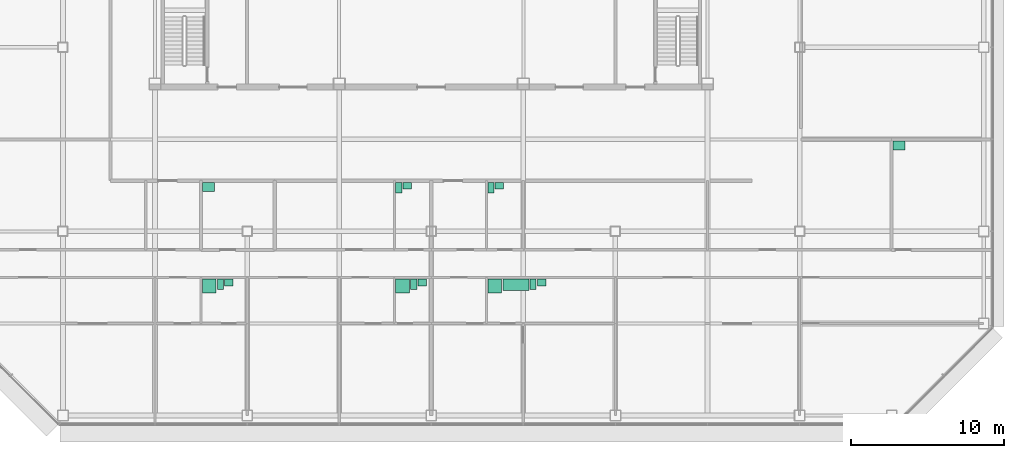
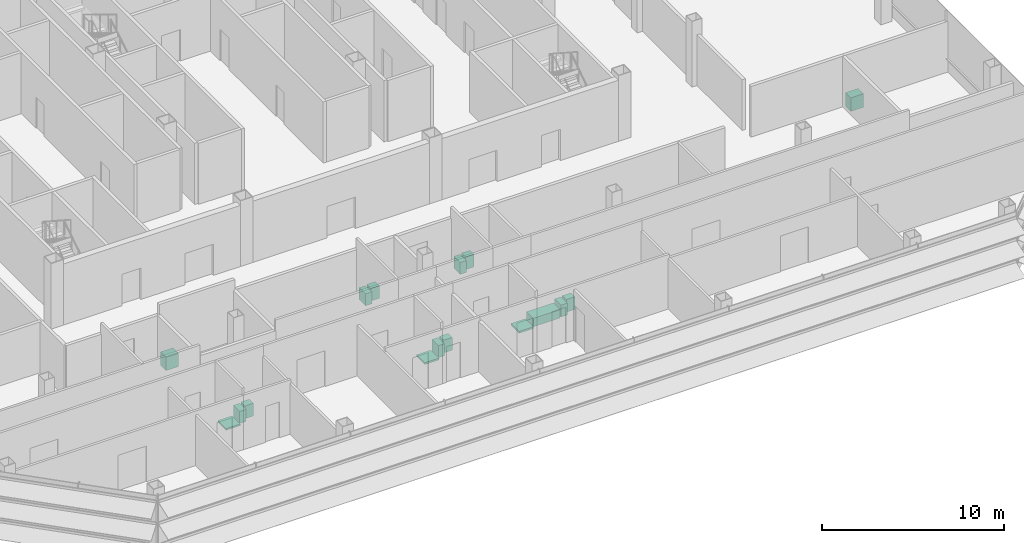
# One storey, part 26 of 26: 16 sanitary terminals.
"""IFC4 building model written with IfcOpenShell, lengths in metres."""

from ifc_helpers import new_model, si_unit, direction, frame, origin, origin_2d, place, context, subcontext, project, spatial, rectangle, extrude, element, save


model = new_model("IFC4")

# Units and contexts
model_context = context("Model", 3, precision=1e-05, world=origin(), true_north=direction((0.0, 1.0)))
body_context = subcontext(model_context, "Body", "Model", "MODEL_VIEW")
ifc_project = project(units=[si_unit("LENGTHUNIT", "METRE"), si_unit("AREAUNIT", "SQUARE_METRE"), si_unit("VOLUMEUNIT", "CUBIC_METRE"), si_unit("PLANEANGLEUNIT", "RADIAN"), si_unit("MASSUNIT", "GRAM", prefix="KILO")], contexts=[model_context])

# Site, building, storey
site_placement = place(None, origin())
site = spatial("IfcSite", under=ifc_project, at=site_placement, CompositionType="ELEMENT")
building_placement = place(site_placement, origin())
building = spatial("IfcBuilding", under=site, at=building_placement, Name="Sorahane Residences", CompositionType="ELEMENT")
storey_placement = place(building_placement, frame((0.0, 0.0, 181.60009765625)))
storey = spatial("IfcBuildingStorey", under=building, at=storey_placement, Name="L42", CompositionType="ELEMENT", Elevation=181.60009765625)

# Sanitary terminals
sanitary_terminal_1_placement = place(storey_placement, frame((9.530029296875, 8.449951171875, -0.000244140625), z_axis=(0.0, 0.0, 1.0), x_axis=(1.0, 0.0, 0.0)))
element("IfcSanitaryTerminal", 1, at=sanitary_terminal_1_placement, inside=storey, Name="Shower tray En-suite bathroom 42A", PredefinedType="SHOWER", context=body_context, shape_type="SweptSolid", body=[
    extrude(rectangle(XDim=0.89990234375, YDim=0.89990234375, at=origin_2d()), origin(), (0.0, 0.0, 1.0), 0.1201171875),
])
sanitary_terminal_2_placement = place(storey_placement, frame((10.260009765625, 8.550048828125, 0.0), z_axis=(0.0, 0.0, 1.0), x_axis=(1.0, 0.0, 0.0)))
element("IfcSanitaryTerminal", 2, at=sanitary_terminal_2_placement, inside=storey, Name="WC pan En-suite bathroom 42A", PredefinedType="TOILETPAN", context=body_context, shape_type="SweptSolid", body=[
    extrude(rectangle(XDim=0.39990234375, YDim=0.699951171875, at=origin_2d()), origin(), (0.0, 0.0, 1.0), 0.800048828125),
])
sanitary_terminal_3_placement = place(storey_placement, frame((10.81494140625, 8.675048828125, -0.000244140625), z_axis=(0.0, 0.0, 1.0), x_axis=(1.0, 0.0, 0.0)))
element("IfcSanitaryTerminal", 3, at=sanitary_terminal_3_placement, inside=storey, Name="Wash basin En-suite bathroom 42A", PredefinedType="WASHHANDBASIN", context=body_context, shape_type="SweptSolid", body=[
    extrude(rectangle(XDim=0.550048828125, YDim=0.449951171875, at=origin_2d()), origin(), (0.0, 0.0, 1.0), 0.85009765625),
])
sanitary_terminal_4_placement = place(storey_placement, frame((22.1298828125, 8.449951171875, -0.000244140625), z_axis=(0.0, 0.0, 1.0), x_axis=(1.0, 0.0, 0.0)))
element("IfcSanitaryTerminal", 4, at=sanitary_terminal_4_placement, inside=storey, Name="Shower tray En-suite bathroom 42A-2", PredefinedType="SHOWER", context=body_context, shape_type="SweptSolid", body=[
    extrude(rectangle(XDim=0.89990234375, YDim=0.89990234375, at=origin_2d()), origin(), (0.0, 0.0, 1.0), 0.1201171875),
])
sanitary_terminal_5_placement = place(storey_placement, frame((22.860107421875, 8.550048828125, 0.0), z_axis=(0.0, 0.0, 1.0), x_axis=(1.0, 0.0, 0.0)))
element("IfcSanitaryTerminal", 5, at=sanitary_terminal_5_placement, inside=storey, Name="WC pan En-suite bathroom 42A-2", PredefinedType="TOILETPAN", context=body_context, shape_type="SweptSolid", body=[
    extrude(rectangle(XDim=0.39990234375, YDim=0.699951171875, at=origin_2d()), origin(), (0.0, 0.0, 1.0), 0.800048828125),
])
sanitary_terminal_6_placement = place(storey_placement, frame((23.4150390625, 8.675048828125, -0.000244140625), z_axis=(0.0, 0.0, 1.0), x_axis=(1.0, 0.0, 0.0)))
element("IfcSanitaryTerminal", 6, at=sanitary_terminal_6_placement, inside=storey, Name="Wash basin En-suite bathroom 42A-2", PredefinedType="WASHHANDBASIN", context=body_context, shape_type="SweptSolid", body=[
    extrude(rectangle(XDim=0.550048828125, YDim=0.449951171875, at=origin_2d()), origin(), (0.0, 0.0, 1.0), 0.85009765625),
])
sanitary_terminal_7_placement = place(storey_placement, frame((9.47998046875, 14.89990234375, 0.0), z_axis=(0.0, 0.0, 1.0), x_axis=(1.0, 0.0, 0.0)))
element("IfcSanitaryTerminal", 7, at=sanitary_terminal_7_placement, inside=storey, Name="Kitchen sink Kitchen 42A", PredefinedType="SINK", context=body_context, shape_type="SweptSolid", body=[
    extrude(rectangle(XDim=0.800048828125, YDim=0.60009765625, at=origin_2d()), origin(), (0.0, 0.0, 1.0), 0.89990234375),
])
sanitary_terminal_8_placement = place(storey_placement, frame((21.8798828125, 14.85009765625, 0.0), z_axis=(0.0, 0.0, 1.0), x_axis=(1.0, 0.0, 0.0)))
element("IfcSanitaryTerminal", 8, at=sanitary_terminal_8_placement, inside=storey, Name="WC pan Powder room 42A", PredefinedType="TOILETPAN", context=body_context, shape_type="SweptSolid", body=[
    extrude(rectangle(XDim=0.39990234375, YDim=0.699951171875, at=origin_2d()), origin(), (0.0, 0.0, 1.0), 0.800048828125),
])
sanitary_terminal_9_placement = place(storey_placement, frame((22.43505859375, 14.97509765625, -0.000244140625), z_axis=(0.0, 0.0, 1.0), x_axis=(1.0, 0.0, 0.0)))
element("IfcSanitaryTerminal", 9, at=sanitary_terminal_9_placement, inside=storey, Name="Wash basin Powder room 42A", PredefinedType="WASHHANDBASIN", context=body_context, shape_type="SweptSolid", body=[
    extrude(rectangle(XDim=0.550048828125, YDim=0.449951171875, at=origin_2d()), origin(), (0.0, 0.0, 1.0), 0.85009765625),
])
sanitary_terminal_10_placement = place(storey_placement, frame((28.1298828125, 8.449951171875, -0.000244140625), z_axis=(0.0, 0.0, 1.0), x_axis=(1.0, 0.0, 0.0)))
element("IfcSanitaryTerminal", 10, at=sanitary_terminal_10_placement, inside=storey, Name="Shower tray En-suite bathroom 42B", PredefinedType="SHOWER", context=body_context, shape_type="SweptSolid", body=[
    extrude(rectangle(XDim=0.89990234375, YDim=0.89990234375, at=origin_2d()), origin(), (0.0, 0.0, 1.0), 0.1201171875),
])
sanitary_terminal_11_placement = place(storey_placement, frame((29.510009765625, 8.52490234375, -0.000244140625), z_axis=(0.0, 0.0, 1.0), x_axis=(1.0, 0.0, 0.0)))
element("IfcSanitaryTerminal", 11, at=sanitary_terminal_11_placement, inside=storey, Name="Bath En-suite bathroom 42B", PredefinedType="BATH", context=body_context, shape_type="SweptSolid", body=[
    extrude(rectangle(XDim=1.699951171875, YDim=0.75, at=origin_2d()), origin(), (0.0, 0.0, 1.0), 0.56005859375),
])
sanitary_terminal_12_placement = place(storey_placement, frame((30.639892578125, 8.550048828125, 0.0), z_axis=(0.0, 0.0, 1.0), x_axis=(1.0, 0.0, 0.0)))
element("IfcSanitaryTerminal", 12, at=sanitary_terminal_12_placement, inside=storey, Name="WC pan En-suite bathroom 42B", PredefinedType="TOILETPAN", context=body_context, shape_type="SweptSolid", body=[
    extrude(rectangle(XDim=0.39990234375, YDim=0.699951171875, at=origin_2d()), origin(), (0.0, 0.0, 1.0), 0.800048828125),
])
sanitary_terminal_13_placement = place(storey_placement, frame((31.195068359375, 8.675048828125, -0.000244140625), z_axis=(0.0, 0.0, 1.0), x_axis=(1.0, 0.0, 0.0)))
element("IfcSanitaryTerminal", 13, at=sanitary_terminal_13_placement, inside=storey, Name="Wash basin En-suite bathroom 42B", PredefinedType="WASHHANDBASIN", context=body_context, shape_type="SweptSolid", body=[
    extrude(rectangle(XDim=0.550048828125, YDim=0.449951171875, at=origin_2d()), origin(), (0.0, 0.0, 1.0), 0.85009765625),
])
sanitary_terminal_14_placement = place(storey_placement, frame((27.8798828125, 14.85009765625, 0.0), z_axis=(0.0, 0.0, 1.0), x_axis=(1.0, 0.0, 0.0)))
element("IfcSanitaryTerminal", 14, at=sanitary_terminal_14_placement, inside=storey, Name="WC pan Guest WC 42B", PredefinedType="TOILETPAN", context=body_context, shape_type="SweptSolid", body=[
    extrude(rectangle(XDim=0.39990234375, YDim=0.699951171875, at=origin_2d()), origin(), (0.0, 0.0, 1.0), 0.800048828125),
])
sanitary_terminal_15_placement = place(storey_placement, frame((28.43505859375, 14.97509765625, -0.000244140625), z_axis=(0.0, 0.0, 1.0), x_axis=(1.0, 0.0, 0.0)))
element("IfcSanitaryTerminal", 15, at=sanitary_terminal_15_placement, inside=storey, Name="Wash basin Guest WC 42B", PredefinedType="WASHHANDBASIN", context=body_context, shape_type="SweptSolid", body=[
    extrude(rectangle(XDim=0.550048828125, YDim=0.449951171875, at=origin_2d()), origin(), (0.0, 0.0, 1.0), 0.85009765625),
])
sanitary_terminal_16_placement = place(storey_placement, frame((54.47998046875, 17.60009765625, 0.0), z_axis=(0.0, 0.0, 1.0), x_axis=(1.0, 0.0, 0.0)))
element("IfcSanitaryTerminal", 16, at=sanitary_terminal_16_placement, inside=storey, Name="Kitchen sink Kitchen 42B", PredefinedType="SINK", context=body_context, shape_type="SweptSolid", body=[
    extrude(rectangle(XDim=0.800048828125, YDim=0.60009765625, at=origin_2d()), origin(), (0.0, 0.0, 1.0), 0.89990234375),
])

save(model, "model.ifc")
